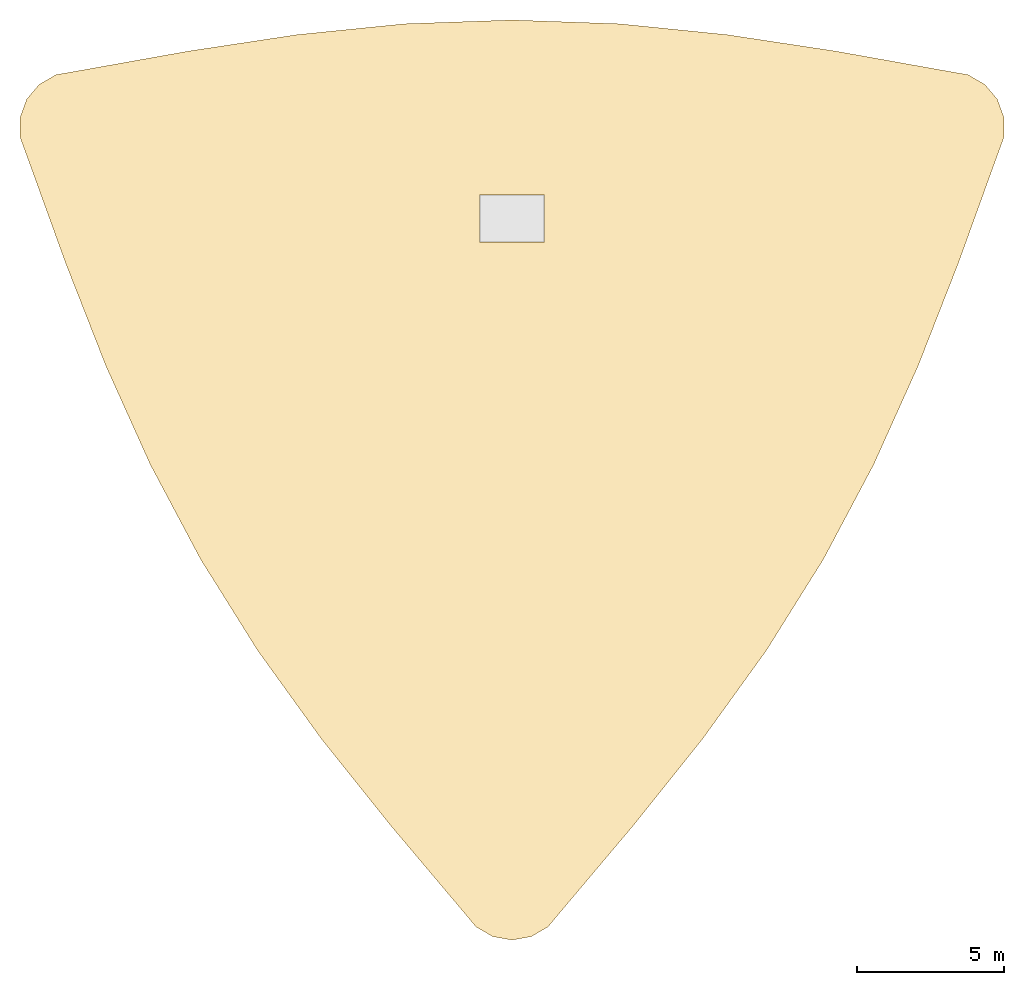
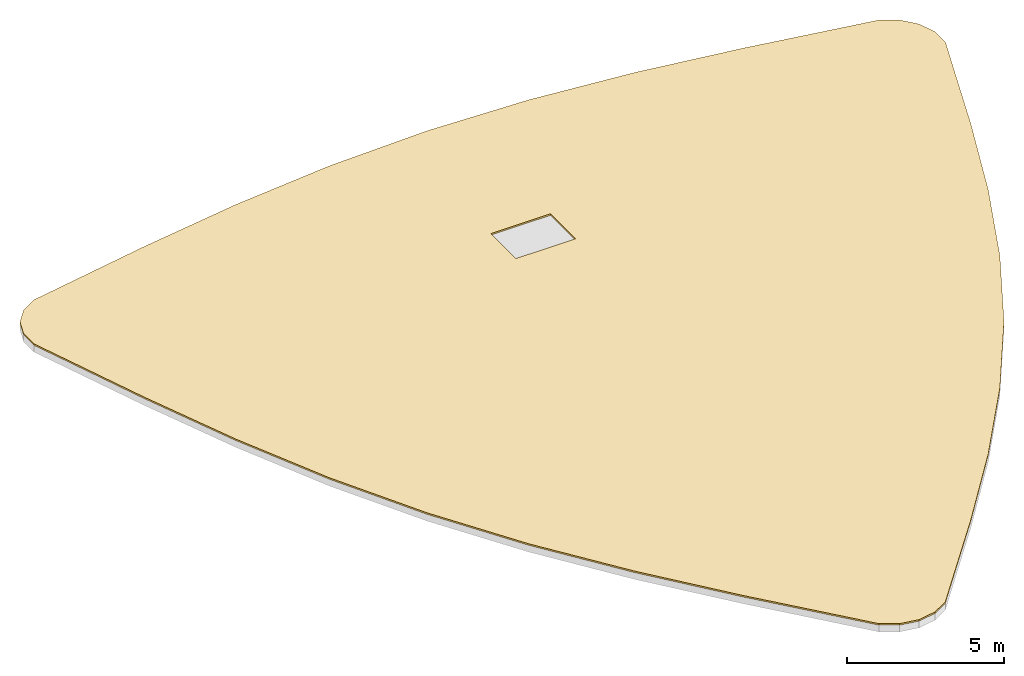
# One storey, part 2 of 2: 1 covering, 1 element without a shape of its own.
"""IFC4 building model written with IfcOpenShell, lengths in metres."""

from ifc_helpers import new_model, si_unit, derived_unit, direction, frame, origin, place, context, subcontext, project, spatial, polyline, outline, extrude, material, layer, layer_set, type_object, element, aggregate, save


model = new_model("IFC4")

# Units and contexts
model_context = context("Model", 3, precision=1e-05, world=origin(), true_north=direction((0.0, 1.0)))
body_context = subcontext(model_context, "Body", "Model", "MODEL_VIEW")
ifc_project = project(units=[si_unit("LENGTHUNIT", "METRE"), si_unit("AREAUNIT", "SQUARE_METRE"), si_unit("VOLUMEUNIT", "CUBIC_METRE"), si_unit("PLANEANGLEUNIT", "RADIAN"), si_unit("MASSUNIT", "GRAM", prefix="KILO"), derived_unit("THERMALTRANSMITTANCEUNIT", [(si_unit("POWERUNIT", "WATT"), 1), (si_unit("LENGTHUNIT", "METRE"), -2), (si_unit("THERMODYNAMICTEMPERATUREUNIT", "KELVIN"), -1)])], contexts=[model_context])

# Site, building, storey
site_placement = place(None, origin())
site = spatial("IfcSite", under=ifc_project, at=site_placement, CompositionType="ELEMENT")
building_placement = place(site_placement, origin())
building = spatial("IfcBuilding", under=site, at=building_placement, Name="Korsvarv Bourse and Concert Hall", CompositionType="ELEMENT")
storey_placement = place(building_placement, frame((0.0, 0.0, 299.699951171875)))
storey = spatial("IfcBuildingStorey", under=building, at=storey_placement, Name="RF", CompositionType="ELEMENT", Elevation=299.699951171875)

# Roof, covering
ifc_material_1 = material(Name="Reinforced concrete C45/55 flat roof assembly", Category="concrete")
ifc_layer_1 = layer(ifc_material_1, 0.320068359375)
ifc_layer_set_1 = layer_set([ifc_layer_1], Name="Reinforced concrete C45/55 flat roof assembly")
roof_type = type_object("IfcRoofType", Name="ROOF-FLAT-1", PredefinedType="FLAT_ROOF", material=ifc_layer_set_1)
roof_placement = place(storey_placement, origin())
roof = element("IfcRoof", 1, at=roof_placement, inside=storey, type_object=roof_type, Name="RF Crown Closed Flat Roof Assembly", PredefinedType="FLAT_ROOF")
ifc_material_2 = material(Name="Modified bitumen two-ply waterproofing and tapered PIR insulation", Category="bitumen")
ifc_layer_2 = layer(ifc_material_2, 0.06005859375)
ifc_layer_set_2 = layer_set([ifc_layer_2], Name="Modified bitumen two-ply waterproofing and tapered PIR insulation")
covering_type = type_object("IfcCoveringType", Name="COV-ROOF-1", PredefinedType="ROOFING", material=ifc_layer_set_2)
covering_placement = place(storey_placement, origin())
covering = element("IfcCovering", 2, at=covering_placement, type_object=covering_type, Name="RF Crown Roof Waterproofing and Ballast Layer", PredefinedType="ROOFING", context=body_context, shape_type="SweptSolid", body=[
    extrude(outline(polyline([(52.501708984375, 43.504150390625), (51.218994140625, 39.955078125), (49.857177734375, 36.477294921875), (48.341552734375, 33.10791015625), (46.621337890625, 29.867919921875), (44.675537109375, 26.758056640625), (42.515380859375, 23.7607421875), (40.184326171875, 20.84228515625), (37.752197265625, 17.957275390625), (37.750732421875, 17.955810546875), (37.225341796875, 17.32958984375), (36.652099609375, 16.99853515625), (36.0, 16.883544921875), (35.347900390625, 16.99853515625), (34.774658203125, 17.32958984375), (34.249267578125, 17.955810546875), (34.247802734375, 17.957275390625), (31.815673828125, 20.84228515625), (29.484619140625, 23.7607421875), (27.324462890625, 26.758056640625), (25.378662109375, 29.867919921875), (23.658447265625, 33.10791015625), (22.142822265625, 36.477294921875), (20.781005859375, 39.955078125), (19.498291015625, 43.504150390625), (19.497802734375, 43.506103515625), (19.21826171875, 44.27392578125), (19.21826171875, 44.93603515625), (19.444580078125, 45.55810546875), (19.870361328125, 46.0654296875), (20.443603515625, 46.396484375), (21.24853515625, 46.538330078125), (21.25048828125, 46.538818359375), (24.965087890625, 47.20263671875), (28.658203125, 47.76220703125), (32.333984375, 48.13427734375), (36.0, 48.264404296875), (39.666015625, 48.13427734375), (43.341796875, 47.76220703125), (47.034912109375, 47.20263671875), (50.74951171875, 46.538818359375), (50.75146484375, 46.538330078125), (51.556396484375, 46.396484375), (52.129638671875, 46.0654296875), (52.555419921875, 45.55810546875), (52.78173828125, 44.93603515625), (52.78173828125, 44.27392578125), (52.502197265625, 43.506103515625), (52.501708984375, 43.504150390625)]), holes=[polyline([(34.89990234375, 40.699951171875), (37.10009765625, 40.699951171875), (37.10009765625, 42.300048828125), (34.89990234375, 42.300048828125), (34.89990234375, 40.699951171875)])]), origin(), (0.0, 0.0, 1.0), 0.06005859375),
])
aggregate(roof, [covering])

save(model, "model.ifc")
